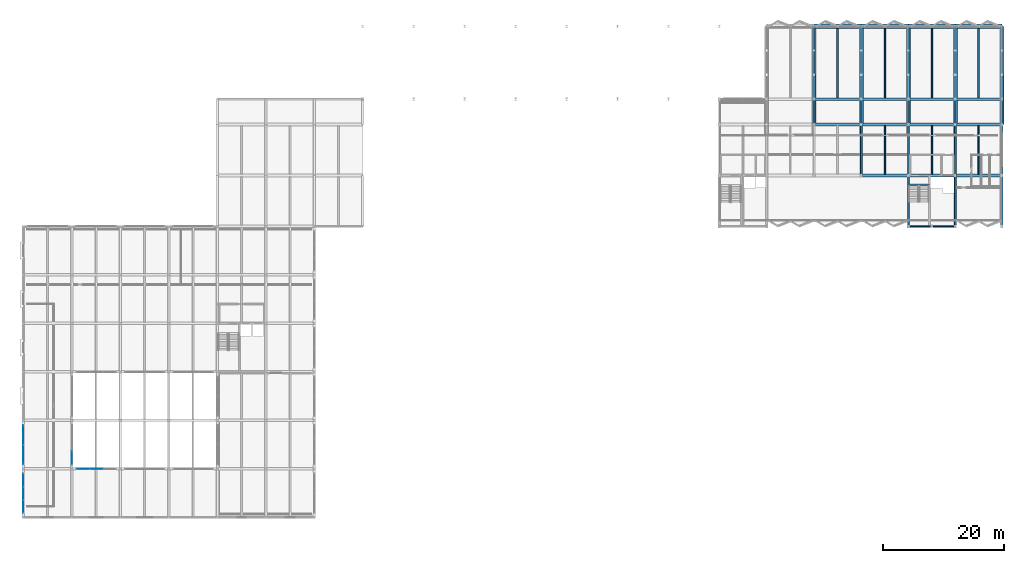
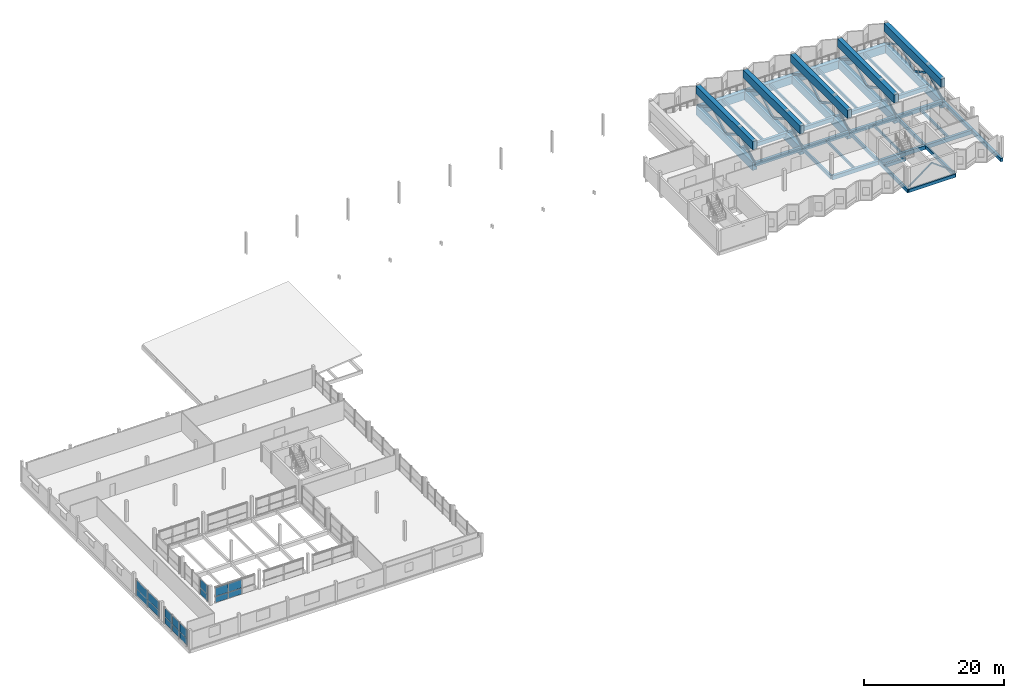
# One storey, part 19 of 34: 41 beams, 22 members, 16 plates, 4 elements without a shape of their own.
"""IFC4 building model written with IfcOpenShell, lengths in metres."""

import ifcopenshell
import ifcopenshell.guid

model = None  # the IFC model being written
_history = None  # IfcOwnerHistory: only IFC2X3 demands one
_inside = {}  # id of a spatial element -> (the spatial element, [elements in it])
_under = {}  # id of a project, library or spatial element -> (it, [spatial elements below it])
_declared = {}  # id of a project -> (the project, [libraries it declares])
_typed = {}  # id of a type object -> (the type object, [elements of that type])
_made_of = {}  # id of a material, layer set ... -> (it, [elements and type objects made of it])


def new_model(schema):
    """Start an empty IFC model of exactly this schema.

    Asked for "IFC4X3", IfcOpenShell would pick the latest addendum, in which some entities
    have other attributes; the version numbers below select the first issue.
    IFC2X3 requires an IfcOwnerHistory on every rooted entity: one is made here for all.
    """
    global model, _history
    if schema == "IFC4X3":
        model = ifcopenshell.file(schema_version=(4, 3, 0, 0))
    else:
        model = ifcopenshell.file(schema=schema)
    _inside.clear()
    _under.clear()
    _declared.clear()
    _typed.clear()
    _made_of.clear()
    _history = None
    if model.schema == "IFC2X3":
        org = make("IfcOrganization", Name="unknown")
        user = make(
            "IfcPersonAndOrganization",
            ThePerson=make("IfcPerson", FamilyName="unknown"),
            TheOrganization=org,
        )
        app = make(
            "IfcApplication",
            ApplicationDeveloper=org,
            Version="unknown",
            ApplicationFullName="unknown",
            ApplicationIdentifier="unknown",
        )
        _history = make(
            "IfcOwnerHistory",
            OwningUser=user,
            OwningApplication=app,
            ChangeAction="ADDED",
            CreationDate=0,
        )
    return model


def make(cls, **values):
    """One entity of the class cls with the attributes given. An attribute that is None is left unset."""
    return model.create_entity(
        cls, **{name: value for name, value in values.items() if value is not None}
    )


def rooted(cls, **values):
    """An entity with a GlobalId (a new one), such as an element, a storey or a relation."""
    return make(cls, GlobalId=ifcopenshell.guid.new(), OwnerHistory=_history, **values)


def si_unit(unit_type, name, prefix=None):
    """IfcSIUnit, for example si_unit("LENGTHUNIT", "METRE", prefix="MILLI")."""
    return make("IfcSIUnit", UnitType=unit_type, Prefix=prefix, Name=name)


def assignment(units):
    """IfcUnitAssignment: the units of a project."""
    return None if units is None else make("IfcUnitAssignment", Units=units)


def point(xyz):
    """IfcCartesianPoint."""
    return None if xyz is None else make("IfcCartesianPoint", Coordinates=xyz)


def direction(xyz):
    """IfcDirection."""
    return None if xyz is None else make("IfcDirection", DirectionRatios=xyz)


def frame(location, z_axis=None, x_axis=None):
    """IfcAxis2Placement3D, a coordinate frame: its origin and axes. An axis left out is left unset."""
    return make(
        "IfcAxis2Placement3D",
        Location=point(location),
        Axis=direction(z_axis),
        RefDirection=direction(x_axis),
    )


def frame_2d(location, x_axis=None):
    """IfcAxis2Placement2D, a coordinate frame in the plane: its origin and x axis."""
    return make(
        "IfcAxis2Placement2D", Location=point(location), RefDirection=direction(x_axis)
    )


def origin():
    """The frame at (0, 0, 0) with its axes left unset."""
    return frame((0.0, 0.0, 0.0))


def origin_2d():
    """The frame at (0, 0) in the plane with its x axis left unset."""
    return frame_2d((0.0, 0.0))


def place(relative_to, where):
    """IfcLocalPlacement: puts the frame where relative to a parent placement (None: the world)."""
    return make(
        "IfcLocalPlacement", PlacementRelTo=relative_to, RelativePlacement=where
    )


def context(
    kind, dimensions, precision=None, world=None, true_north=None, identifier=None
):
    """IfcGeometricRepresentationContext, for example the 3D "Model" context."""
    return make(
        "IfcGeometricRepresentationContext",
        ContextIdentifier=identifier,
        ContextType=kind,
        CoordinateSpaceDimension=dimensions,
        Precision=precision,
        WorldCoordinateSystem=world,
        TrueNorth=true_north,
    )


def subcontext(parent, identifier, kind, view, scale=None):
    """IfcGeometricRepresentationSubContext, for example "Body" below "Model"."""
    return make(
        "IfcGeometricRepresentationSubContext",
        ContextIdentifier=identifier,
        ContextType=kind,
        ParentContext=parent,
        TargetScale=scale,
        TargetView=view,
    )


def project(units=None, contexts=None):
    """IfcProject with its units and contexts."""
    return rooted(
        "IfcProject",
        Name="project",
        RepresentationContexts=contexts,
        UnitsInContext=assignment(units),
    )


def spatial(cls, under=None, at=None, **own):
    """A site, building, storey or space (cls), placed at a placement, below another one or the project."""
    s = rooted(cls, ObjectPlacement=at, **own)
    if under is not None:
        _under.setdefault(under.id(), (under, []))[1].append(s)
    return s


def profile(cls, at=None, kind="AREA", **sizes):
    """A parametric profile (cls). Its sizes go by their IFC names, for example OverallWidth=200.0."""
    return make(cls, ProfileType=kind, Position=at, **sizes)


def rectangle(**sizes):
    """IfcRectangleProfileDef."""
    return profile("IfcRectangleProfileDef", **sizes)


def hollow_rectangle(**sizes):
    """IfcRectangleHollowProfileDef."""
    return profile("IfcRectangleHollowProfileDef", **sizes)


def hollow_circle(**sizes):
    """IfcCircleHollowProfileDef."""
    return profile("IfcCircleHollowProfileDef", **sizes)


def extrude(swept, where, along, depth):
    """IfcExtrudedAreaSolid: the profile swept, set in the frame where, extruded along a direction by depth."""
    return make(
        "IfcExtrudedAreaSolid",
        SweptArea=swept,
        Position=where,
        ExtrudedDirection=direction(along),
        Depth=depth,
    )


def shape(context_of_items, identifier, shape_type, items):
    """IfcShapeRepresentation: the items that make up one representation, for example the "Body"."""
    return make(
        "IfcShapeRepresentation",
        ContextOfItems=context_of_items,
        RepresentationIdentifier=identifier,
        RepresentationType=shape_type,
        Items=items,
    )


def material(Name=None, Category=None):
    """IfcMaterial."""
    return make("IfcMaterial", Name=Name, Category=Category)


def layer(
    of_material, thickness, ventilated=None, Name=None, Category=None, Priority=None
):
    """IfcMaterialLayer: one layer of a wall or slab, of a material (None: an air gap)."""
    return make(
        "IfcMaterialLayer",
        Material=of_material,
        LayerThickness=thickness,
        IsVentilated=ventilated,
        Name=Name,
        Category=Category,
        Priority=Priority,
    )


def layer_set(layers, Name=None):
    """IfcMaterialLayerSet."""
    return make("IfcMaterialLayerSet", MaterialLayers=layers, LayerSetName=Name)


def material_profile(
    of_material, cross_section, Name=None, Category=None, Priority=None
):
    """IfcMaterialProfile: a cross section and its material."""
    return make(
        "IfcMaterialProfile",
        Name=Name,
        Material=of_material,
        Profile=cross_section,
        Priority=Priority,
        Category=Category,
    )


def profile_set(profiles, Name=None, composite=None):
    """IfcMaterialProfileSet."""
    return make(
        "IfcMaterialProfileSet",
        Name=Name,
        MaterialProfiles=profiles,
        CompositeProfile=composite,
    )


def made_of(thing, what):
    """Note that an element or type object is made of a material, layer set ...; save() writes the relation."""
    if what is not None:
        _made_of.setdefault(what.id(), (what, []))[1].append(thing)
    return thing


def type_object(cls, material=None, **own):
    """A type object (cls), such as IfcWallType, which elements share."""
    return made_of(rooted(cls, **own), material)


def element(
    cls,
    number,
    at=None,
    inside=None,
    cuts=None,
    type_object=None,
    material=None,
    context=None,
    identifier="Body",
    shape_type=None,
    held_by="IfcProductDefinitionShape",
    body=None,
    shapes=None,
    **own,
):
    """One element of the class cls, such as IfcWall. Its Tag is "e" and its number.

    at: its placement. inside: the storey or other place that contains it. cuts: it is an
    opening in that element (IfcRelVoidsElement). A single representation is given by context,
    identifier, shape_type and body (its items); several are given by shapes. held_by: the class
    of the entity that holds the representations. save() writes the other relations.
    """
    e = rooted(cls, Tag="e%d" % number, ObjectPlacement=at, **own)
    if body is not None:
        shapes = [shape(context, identifier, shape_type, body)]
    if shapes is not None:
        e.Representation = make(held_by, Representations=shapes)
    if inside is not None:
        _inside.setdefault(inside.id(), (inside, []))[1].append(e)
    if cuts is not None:
        rooted(
            "IfcRelVoidsElement", RelatingBuildingElement=cuts, RelatedOpeningElement=e
        )
    if type_object is not None:
        _typed.setdefault(type_object.id(), (type_object, []))[1].append(e)
    return made_of(e, material)


def aggregate(whole, parts):
    """IfcRelAggregates: a whole, such as a stair, and the parts it consists of."""
    return rooted("IfcRelAggregates", RelatingObject=whole, RelatedObjects=parts)


def save(model, path):
    """Write the relations noted so far, then the file.

    IfcRelAggregates (storeys below a building ...), IfcRelContainedInSpatialStructure (elements
    in a storey), IfcRelDefinesByType, IfcRelAssociatesMaterial and IfcRelDeclares: one each for
    every whole, place, type object, material and project.
    """
    for whole, parts in _under.values():
        aggregate(whole, parts)
    for where, things in _inside.values():
        rooted(
            "IfcRelContainedInSpatialStructure",
            RelatedElements=things,
            RelatingStructure=where,
        )
    for kind, things in _typed.values():
        rooted("IfcRelDefinesByType", RelatedObjects=things, RelatingType=kind)
    for what, things in _made_of.values():
        rooted("IfcRelAssociatesMaterial", RelatedObjects=things, RelatingMaterial=what)
    for by, libraries in _declared.values():
        rooted("IfcRelDeclares", RelatingContext=by, RelatedDefinitions=libraries)
    model.write(path)


model = new_model("IFC4")

# Units and contexts
model_context = context("Model", 3, precision=1e-05, world=origin(), true_north=direction((0.0, 1.0)))
body_context = subcontext(model_context, "Body", "Model", "MODEL_VIEW")
ifc_project = project(units=[si_unit("LENGTHUNIT", "METRE"), si_unit("AREAUNIT", "SQUARE_METRE"), si_unit("VOLUMEUNIT", "CUBIC_METRE"), si_unit("PLANEANGLEUNIT", "RADIAN"), si_unit("MASSUNIT", "GRAM", prefix="KILO")], contexts=[model_context])

# Site, building, storey
site_placement = place(None, origin())
site = spatial("IfcSite", under=ifc_project, at=site_placement, CompositionType="ELEMENT")
building_placement = place(site_placement, origin())
building = spatial("IfcBuilding", under=site, at=building_placement, Name="Vharandega Faculty of Natural Sciences", CompositionType="ELEMENT")
storey_placement = place(building_placement, frame((0.0, 0.0, 21.60009765625)))
storey = spatial("IfcBuildingStorey", under=building, at=storey_placement, Name="L05", CompositionType="ELEMENT", Elevation=21.60009765625)

# Beams
ifc_material_1 = material(Name="Glulam GL32h", Category="wood")
ifc_material_profile_1 = material_profile(ifc_material_1, rectangle(XDim=0.699951171875, YDim=1.39990234375, at=origin_2d()), Name="GL32h 700x1400")
ifc_profile_set_1 = profile_set([ifc_material_profile_1], Name="Glulam GL32h")
beam_type_1 = type_object("IfcBeamType", Name="Cantilever Truss Bottom Chord 700x1400", PredefinedType="BEAM", material=ifc_profile_set_1)
for number, where, z_axis, x_axis, name in (
    (1, (130.39990234375, 80.800048828125, -0.940185546875), (0.0, 1.0, 0.0), (-1.0, 0.0, 0.0), "Transfer Cantilever Bottom Chord Grid 17"),
    (2, (138.199951171875, 80.800048828125, -0.940185546875), (0.0, 1.0, 0.0), (-1.0, 0.0, 0.0), "Transfer Cantilever Bottom Chord Grid 18"),
    (3, (146.0, 80.800048828125, -0.940185546875), (0.0, 1.0, 0.0), (-1.0, 0.0, 0.0), "Transfer Cantilever Bottom Chord Grid 19"),
    (4, (153.699951171875, 80.800048828125, -0.940185546875), (0.0, 1.0, 0.0), (-1.0, 0.0, 0.0), "Transfer Cantilever Bottom Chord Grid 20"),
    (5, (161.39990234375, 80.800048828125, -0.940185546875), (0.0, 1.0, 0.0), (-1.0, 0.0, 0.0), "Transfer Cantilever Bottom Chord Grid 21"),
):
    element("IfcBeam", number, at=place(storey_placement, frame(where, z_axis=z_axis, x_axis=x_axis)), inside=storey, type_object=beam_type_1, Name=name, PredefinedType="BEAM", context=body_context, shape_type="SweptSolid", body=[
        extrude(rectangle(XDim=0.699951171875, YDim=1.39990234375, at=origin_2d()), origin(), (0.0, 0.0, 1.0), 16.199951171875),
    ])

# Members
ifc_material_2 = material(Name="Steel S355", Category="steel")
ifc_material_profile_2 = material_profile(ifc_material_2, hollow_circle(Radius=0.161865234375, WallThickness=0.01611328125, at=origin_2d()), Name="CHS 323.9x16")
ifc_profile_set_2 = profile_set([ifc_material_profile_2], Name="Steel S355")
member_type_1 = type_object("IfcMemberType", Name="Cantilever Truss Diagonal CHS 324", PredefinedType="BRACE", material=ifc_profile_set_2)
for number, where, z_axis, x_axis, name in (
    (6, (130.39990234375, 80.800048828125, -0.239990234375), (0.0, 0.884095243613, 0.467306751739), (-1.0, 0.0, 0.0), "Cantilever Truss Diagonal 17-1"),
    (7, (138.199951171875, 80.800048828125, -0.239990234375), (0.0, 0.884095243613, 0.467306751739), (-1.0, 0.0, 0.0), "Cantilever Truss Diagonal 18-1"),
    (8, (146.0, 80.800048828125, -0.239990234375), (0.0, 0.884095243613, 0.467306751739), (-1.0, 0.0, 0.0), "Cantilever Truss Diagonal 19-1"),
    (9, (153.699951171875, 80.800048828125, -0.239990234375), (0.0, 0.884095243613, 0.467306751739), (-1.0, 0.0, 0.0), "Cantilever Truss Diagonal 20-1"),
    (10, (161.39990234375, 80.800048828125, -0.239990234375), (0.0, 0.884095243613, 0.467306751739), (-1.0, 0.0, 0.0), "Cantilever Truss Diagonal 21-1"),
):
    element("IfcMember", number, at=place(storey_placement, frame(where, z_axis=z_axis, x_axis=x_axis)), inside=storey, type_object=member_type_1, Name=name, PredefinedType="BRACE", context=body_context, shape_type="SweptSolid", body=[
        extrude(hollow_circle(Radius=0.161865234375, WallThickness=0.01611328125, at=origin_2d()), origin(), (0.0, 0.0, 1.0), 4.75048828125),
    ])

# Beams
ifc_material_3 = material(Name="Glulam GL32h", Category="wood")
ifc_material_profile_3 = material_profile(ifc_material_3, rectangle(XDim=0.699951171875, YDim=1.39990234375, at=origin_2d()), Name="GL32h 700x1400")
ifc_profile_set_3 = profile_set([ifc_material_profile_3], Name="Glulam GL32h")
beam_type_2 = type_object("IfcBeamType", Name="Cantilever Truss Top Chord 700x1400", PredefinedType="BEAM", material=ifc_profile_set_3)
for number, where, z_axis, x_axis, name in (
    (11, (130.39990234375, 80.800048828125, 2.679931640625), (0.0, 1.0, 0.0), (-1.0, 0.0, 0.0), "Transfer Cantilever Top Chord Grid 17"),
    (12, (138.199951171875, 80.800048828125, 2.679931640625), (0.0, 1.0, 0.0), (-1.0, 0.0, 0.0), "Transfer Cantilever Top Chord Grid 18"),
    (13, (146.0, 80.800048828125, 2.679931640625), (0.0, 1.0, 0.0), (-1.0, 0.0, 0.0), "Transfer Cantilever Top Chord Grid 19"),
    (14, (153.699951171875, 80.800048828125, 2.679931640625), (0.0, 1.0, 0.0), (-1.0, 0.0, 0.0), "Transfer Cantilever Top Chord Grid 20"),
    (15, (161.39990234375, 80.800048828125, 2.679931640625), (0.0, 1.0, 0.0), (-1.0, 0.0, 0.0), "Transfer Cantilever Top Chord Grid 21"),
):
    element("IfcBeam", number, at=place(storey_placement, frame(where, z_axis=z_axis, x_axis=x_axis)), inside=storey, type_object=beam_type_2, Name=name, PredefinedType="BEAM", context=body_context, shape_type="SweptSolid", body=[
        extrude(rectangle(XDim=0.699951171875, YDim=1.39990234375, at=origin_2d()), origin(), (0.0, 0.0, 1.0), 16.199951171875),
    ])

# Members
ifc_material_4 = material(Name="Steel S355", Category="steel")
ifc_material_profile_4 = material_profile(ifc_material_4, hollow_rectangle(XDim=0.25, YDim=0.25, WallThickness=0.012451171875, at=origin_2d()), Name="SHS 250x250x12.5")
ifc_profile_set_4 = profile_set([ifc_material_profile_4], Name="Steel S355")
member_type_2 = type_object("IfcMemberType", Name="Cantilever Truss Web SHS 250", PredefinedType="BRACE", material=ifc_profile_set_4)
for number, where, z_axis, x_axis, name in (
    (16, (130.39990234375, 89.0, -0.239990234375), (0.0, 0.874366132347, 0.485266799404), (-1.0, 0.0, 0.0), "Cantilever Truss Diagonal 17-3"),
    (17, (130.39990234375, 93.0, 1.97998046875), (0.0, 0.874366132347, -0.485266799404), (-1.0, 0.0, 0.0), "Cantilever Truss Diagonal 17-4"),
    (18, (138.199951171875, 89.0, -0.239990234375), (0.0, 0.874366132347, 0.485266799404), (-1.0, 0.0, 0.0), "Cantilever Truss Diagonal 18-3"),
    (19, (138.199951171875, 93.0, 1.97998046875), (0.0, 0.874366132347, -0.485266799404), (-1.0, 0.0, 0.0), "Cantilever Truss Diagonal 18-4"),
    (20, (146.0, 89.0, -0.239990234375), (0.0, 0.874366132347, 0.485266799404), (-1.0, 0.0, 0.0), "Cantilever Truss Diagonal 19-3"),
    (21, (146.0, 93.0, 1.97998046875), (0.0, 0.874366132347, -0.485266799404), (-1.0, 0.0, 0.0), "Cantilever Truss Diagonal 19-4"),
    (22, (153.699951171875, 89.0, -0.239990234375), (0.0, 0.874366132347, 0.485266799404), (-1.0, 0.0, 0.0), "Cantilever Truss Diagonal 20-3"),
    (23, (153.699951171875, 93.0, 1.97998046875), (0.0, 0.874366132347, -0.485266799404), (-1.0, 0.0, 0.0), "Cantilever Truss Diagonal 20-4"),
    (24, (161.39990234375, 89.0, -0.239990234375), (0.0, 0.874366132347, 0.485266799404), (-1.0, 0.0, 0.0), "Cantilever Truss Diagonal 21-3"),
    (25, (161.39990234375, 93.0, 1.97998046875), (0.0, 0.874366132347, -0.485266799404), (-1.0, 0.0, 0.0), "Cantilever Truss Diagonal 21-4"),
):
    element("IfcMember", number, at=place(storey_placement, frame(where, z_axis=z_axis, x_axis=x_axis)), inside=storey, type_object=member_type_2, Name=name, PredefinedType="BRACE", context=body_context, shape_type="SweptSolid", body=[
        extrude(hollow_rectangle(XDim=0.25, YDim=0.25, WallThickness=0.012451171875, at=origin_2d()), origin(), (0.0, 0.0, 1.0), 4.57470703125),
    ])
ifc_material_5 = material(Name="Steel S355", Category="steel")
ifc_material_profile_5 = material_profile(ifc_material_5, hollow_rectangle(XDim=0.300048828125, YDim=0.300048828125, WallThickness=0.01611328125, at=origin_2d()), Name="SHS 300x300x16")
ifc_profile_set_5 = profile_set([ifc_material_profile_5], Name="Steel S355")
member_type_3 = type_object("IfcMemberType", Name="Cantilever Truss Web SHS 300", PredefinedType="BRACE", material=ifc_profile_set_5)
for number, where, z_axis, x_axis, name in (
    (26, (130.39990234375, 85.0, 1.97998046875), (0.0, 0.874366132347, -0.485266799404), (-1.0, 0.0, 0.0), "Cantilever Truss Diagonal 17-2"),
    (27, (138.199951171875, 85.0, 1.97998046875), (0.0, 0.874366132347, -0.485266799404), (-1.0, 0.0, 0.0), "Cantilever Truss Diagonal 18-2"),
    (28, (146.0, 85.0, 1.97998046875), (0.0, 0.874366132347, -0.485266799404), (-1.0, 0.0, 0.0), "Cantilever Truss Diagonal 19-2"),
    (29, (153.699951171875, 85.0, 1.97998046875), (0.0, 0.874366132347, -0.485266799404), (-1.0, 0.0, 0.0), "Cantilever Truss Diagonal 20-2"),
    (30, (161.39990234375, 85.0, 1.97998046875), (0.0, 0.874366132347, -0.485266799404), (-1.0, 0.0, 0.0), "Cantilever Truss Diagonal 21-2"),
):
    element("IfcMember", number, at=place(storey_placement, frame(where, z_axis=z_axis, x_axis=x_axis)), inside=storey, type_object=member_type_3, Name=name, PredefinedType="BRACE", context=body_context, shape_type="SweptSolid", body=[
        extrude(hollow_rectangle(XDim=0.300048828125, YDim=0.300048828125, WallThickness=0.01611328125, at=origin_2d()), origin(), (0.0, 0.0, 1.0), 4.57470703125),
    ])

# Beams
ifc_material_6 = material(Name="Glulam GL28h", Category="wood")
ifc_material_profile_6 = material_profile(ifc_material_6, rectangle(XDim=0.300048828125, YDim=0.60009765625, at=origin_2d()), Name="GL28h 300x600")
ifc_profile_set_6 = profile_set([ifc_material_profile_6], Name="Glulam GL28h")
beam_type_3 = type_object("IfcBeamType", Name="Glulam Floor Beam 300x600", PredefinedType="BEAM", material=ifc_profile_set_6)
beam_1_placement = place(storey_placement, frame((138.199951171875, 72.39990234375, -0.5400390625), z_axis=(0.0, 1.0, 0.0), x_axis=(-1.0, 0.0, 0.0)))
element("IfcBeam", 31, at=beam_1_placement, inside=storey, type_object=beam_type_3, Name="Beam L05 18/K-L", PredefinedType="BEAM", context=body_context, shape_type="SweptSolid", body=[
    extrude(rectangle(XDim=0.300048828125, YDim=0.60009765625, at=origin_2d()), origin(), (0.0, 0.0, 1.0), 8.400146484375),
])
beam_2_placement = place(storey_placement, frame((146.0, 64.0, -0.5400390625), z_axis=(0.0, 1.0, 0.0), x_axis=(-1.0, 0.0, 0.0)))
element("IfcBeam", 32, at=beam_2_placement, inside=storey, type_object=beam_type_3, Name="Beam L05 19/J-K", PredefinedType="BEAM", context=body_context, shape_type="SweptSolid", body=[
    extrude(rectangle(XDim=0.300048828125, YDim=0.60009765625, at=origin_2d()), origin(), (0.0, 0.0, 1.0), 8.39990234375),
])
beam_3_placement = place(storey_placement, frame((146.0, 72.39990234375, -0.5400390625), z_axis=(0.0, 1.0, 0.0), x_axis=(-1.0, 0.0, 0.0)))
element("IfcBeam", 33, at=beam_3_placement, inside=storey, type_object=beam_type_3, Name="Beam L05 19/K-L", PredefinedType="BEAM", context=body_context, shape_type="SweptSolid", body=[
    extrude(rectangle(XDim=0.300048828125, YDim=0.60009765625, at=origin_2d()), origin(), (0.0, 0.0, 1.0), 8.400146484375),
])
beam_4_placement = place(storey_placement, frame((153.699951171875, 64.0, -0.5400390625), z_axis=(0.0, 1.0, 0.0), x_axis=(-1.0, 0.0, 0.0)))
element("IfcBeam", 34, at=beam_4_placement, inside=storey, type_object=beam_type_3, Name="Beam L05 20/J-K", PredefinedType="BEAM", context=body_context, shape_type="SweptSolid", body=[
    extrude(rectangle(XDim=0.300048828125, YDim=0.60009765625, at=origin_2d()), origin(), (0.0, 0.0, 1.0), 8.39990234375),
])
beam_5_placement = place(storey_placement, frame((153.699951171875, 72.39990234375, -0.5400390625), z_axis=(0.0, 1.0, 0.0), x_axis=(-1.0, 0.0, 0.0)))
element("IfcBeam", 35, at=beam_5_placement, inside=storey, type_object=beam_type_3, Name="Beam L05 20/K-L", PredefinedType="BEAM", context=body_context, shape_type="SweptSolid", body=[
    extrude(rectangle(XDim=0.300048828125, YDim=0.60009765625, at=origin_2d()), origin(), (0.0, 0.0, 1.0), 8.400146484375),
])
ifc_material_7 = material(Name="Glulam GL32h", Category="wood")
ifc_material_profile_7 = material_profile(ifc_material_7, rectangle(XDim=0.43994140625, YDim=0.679931640625, at=origin_2d()), Name="GL32h 440x680")
ifc_profile_set_7 = profile_set([ifc_material_profile_7], Name="Glulam GL32h")
beam_type_4 = type_object("IfcBeamType", Name="Glulam Girder 440x680", PredefinedType="BEAM", material=ifc_profile_set_7)
beam_6_placement = place(storey_placement, frame((138.199951171875, 72.39990234375, -0.580078125), z_axis=(1.0, 0.0, 0.0), x_axis=(0.0, 1.0, 0.0)))
element("IfcBeam", 36, at=beam_6_placement, inside=storey, type_object=beam_type_4, Name="Beam L05 K/18-19", PredefinedType="BEAM", context=body_context, shape_type="SweptSolid", body=[
    extrude(rectangle(XDim=0.43994140625, YDim=0.679931640625, at=origin_2d()), origin(), (0.0, 0.0, 1.0), 7.800048828125),
])
for number, where, z_axis, x_axis, name in (
    (37, (146.0, 72.39990234375, -0.580078125), (1.0, 0.0, 0.0), (0.0, 1.0, 0.0), "Beam L05 K/19-20"),
    (38, (153.699951171875, 72.39990234375, -0.580078125), (1.0, 0.0, 0.0), (0.0, 1.0, 0.0), "Beam L05 K/20-21"),
):
    element("IfcBeam", number, at=place(storey_placement, frame(where, z_axis=z_axis, x_axis=x_axis)), inside=storey, type_object=beam_type_4, Name=name, PredefinedType="BEAM", context=body_context, shape_type="SweptSolid", body=[
        extrude(rectangle(XDim=0.43994140625, YDim=0.679931640625, at=origin_2d()), origin(), (0.0, 0.0, 1.0), 7.699951171875),
    ])
for number, where, z_axis, x_axis, name in (
    (39, (130.39990234375, 80.800048828125, -0.580078125), (1.0, 0.0, 0.0), (0.0, 1.0, 0.0), "Beam L05 L/17-18"),
    (40, (138.199951171875, 80.800048828125, -0.580078125), (1.0, 0.0, 0.0), (0.0, 1.0, 0.0), "Beam L05 L/18-19"),
):
    element("IfcBeam", number, at=place(storey_placement, frame(where, z_axis=z_axis, x_axis=x_axis)), inside=storey, type_object=beam_type_4, Name=name, PredefinedType="BEAM", context=body_context, shape_type="SweptSolid", body=[
        extrude(rectangle(XDim=0.43994140625, YDim=0.679931640625, at=origin_2d()), origin(), (0.0, 0.0, 1.0), 7.800048828125),
    ])
for number, where, z_axis, x_axis, name in (
    (41, (146.0, 80.800048828125, -0.580078125), (1.0, 0.0, 0.0), (0.0, 1.0, 0.0), "Beam L05 L/19-20"),
    (42, (153.699951171875, 80.800048828125, -0.580078125), (1.0, 0.0, 0.0), (0.0, 1.0, 0.0), "Beam L05 L/20-21"),
):
    element("IfcBeam", number, at=place(storey_placement, frame(where, z_axis=z_axis, x_axis=x_axis)), inside=storey, type_object=beam_type_4, Name=name, PredefinedType="BEAM", context=body_context, shape_type="SweptSolid", body=[
        extrude(rectangle(XDim=0.43994140625, YDim=0.679931640625, at=origin_2d()), origin(), (0.0, 0.0, 1.0), 7.699951171875),
    ])
for number, where, z_axis, x_axis, name in (
    (43, (130.39990234375, 85.0, -0.580078125), (1.0, 0.0, 0.0), (0.0, 1.0, 0.0), "Beam L05 M/17-18"),
    (44, (138.199951171875, 85.0, -0.580078125), (1.0, 0.0, 0.0), (0.0, 1.0, 0.0), "Beam L05 M/18-19"),
):
    element("IfcBeam", number, at=place(storey_placement, frame(where, z_axis=z_axis, x_axis=x_axis)), inside=storey, type_object=beam_type_4, Name=name, PredefinedType="BEAM", context=body_context, shape_type="SweptSolid", body=[
        extrude(rectangle(XDim=0.43994140625, YDim=0.679931640625, at=origin_2d()), origin(), (0.0, 0.0, 1.0), 7.800048828125),
    ])
for number, where, z_axis, x_axis, name in (
    (45, (146.0, 85.0, -0.580078125), (1.0, 0.0, 0.0), (0.0, 1.0, 0.0), "Beam L05 M/19-20"),
    (46, (153.699951171875, 85.0, -0.580078125), (1.0, 0.0, 0.0), (0.0, 1.0, 0.0), "Beam L05 M/20-21"),
):
    element("IfcBeam", number, at=place(storey_placement, frame(where, z_axis=z_axis, x_axis=x_axis)), inside=storey, type_object=beam_type_4, Name=name, PredefinedType="BEAM", context=body_context, shape_type="SweptSolid", body=[
        extrude(rectangle(XDim=0.43994140625, YDim=0.679931640625, at=origin_2d()), origin(), (0.0, 0.0, 1.0), 7.699951171875),
    ])
ifc_material_8 = material(Name="Glulam GL28h", Category="wood")
ifc_material_profile_8 = material_profile(ifc_material_8, rectangle(XDim=0.219970703125, YDim=0.43994140625, at=origin_2d()), Name="GL28h 220x440")
ifc_profile_set_8 = profile_set([ifc_material_profile_8], Name="Glulam GL28h")
beam_type_5 = type_object("IfcBeamType", Name="Glulam Secondary Joist 220x440", PredefinedType="JOIST", material=ifc_profile_set_8)
for number, where, z_axis, x_axis, name in (
    (47, (142.10009765625, 72.6201171875, -0.460205078125), (0.0, 1.0, 0.0), (-1.0, 0.0, 0.0), "Secondary Joist L05 18-19/K-L"),
    (48, (149.85009765625, 72.6201171875, -0.460205078125), (0.0, 1.0, 0.0), (-1.0, 0.0, 0.0), "Secondary Joist L05 19-20/K-L"),
    (49, (157.550048828125, 72.6201171875, -0.460205078125), (0.0, 1.0, 0.0), (-1.0, 0.0, 0.0), "Secondary Joist L05 20-21/K-L"),
):
    element("IfcBeam", number, at=place(storey_placement, frame(where, z_axis=z_axis, x_axis=x_axis)), inside=storey, type_object=beam_type_5, Name=name, PredefinedType="JOIST", context=body_context, shape_type="SweptSolid", body=[
        extrude(rectangle(XDim=0.219970703125, YDim=0.43994140625, at=origin_2d()), origin(), (0.0, 0.0, 1.0), 7.9599609375),
    ])
ifc_material_9 = material(Name="Glulam GL28h", Category="wood")
ifc_material_profile_9 = material_profile(ifc_material_9, rectangle(XDim=0.239990234375, YDim=0.47998046875, at=origin_2d()), Name="GL28h 240x480")
ifc_profile_set_9 = profile_set([ifc_material_profile_9], Name="Glulam GL28h")
beam_type_6 = type_object("IfcBeamType", Name="Glulam Secondary Joist 240x480", PredefinedType="JOIST", material=ifc_profile_set_9)
for number, where, z_axis, x_axis, name in (
    (50, (134.300048828125, 85.219970703125, -0.47998046875), (0.0, 1.0, 0.0), (-1.0, 0.0, 0.0), "Secondary Joist L05 17-18/M-N"),
    (51, (142.10009765625, 85.219970703125, -0.47998046875), (0.0, 1.0, 0.0), (-1.0, 0.0, 0.0), "Secondary Joist L05 18-19/M-N"),
    (52, (149.85009765625, 85.219970703125, -0.47998046875), (0.0, 1.0, 0.0), (-1.0, 0.0, 0.0), "Secondary Joist L05 19-20/M-N"),
    (53, (157.550048828125, 85.219970703125, -0.47998046875), (0.0, 1.0, 0.0), (-1.0, 0.0, 0.0), "Secondary Joist L05 20-21/M-N"),
):
    element("IfcBeam", number, at=place(storey_placement, frame(where, z_axis=z_axis, x_axis=x_axis)), inside=storey, type_object=beam_type_6, Name=name, PredefinedType="JOIST", context=body_context, shape_type="SweptSolid", body=[
        extrude(rectangle(XDim=0.239990234375, YDim=0.47998046875, at=origin_2d()), origin(), (0.0, 0.0, 1.0), 11.429931640625),
    ])
ifc_material_10 = material(Name="Glulam GL28h", Category="wood")
ifc_material_profile_10 = material_profile(ifc_material_10, rectangle(XDim=0.239990234375, YDim=0.56005859375, at=origin_2d()), Name="GL28h 240x560")
ifc_profile_set_10 = profile_set([ifc_material_profile_10], Name="Glulam GL28h")
beam_type_7 = type_object("IfcBeamType", Name="Glulam Spandrel Edge Beam 240x560", PredefinedType="SPANDREL", material=ifc_profile_set_10)
beam_7_placement = place(storey_placement, frame((146.0, 64.0, -0.52001953125), z_axis=(1.0, 0.0, 0.0), x_axis=(0.0, 1.0, 0.0)))
element("IfcBeam", 54, at=beam_7_placement, inside=storey, type_object=beam_type_7, Name="Beam L05 J/19-20", PredefinedType="SPANDREL", context=body_context, shape_type="SweptSolid", body=[
    extrude(rectangle(XDim=0.239990234375, YDim=0.56005859375, at=origin_2d()), origin(), (0.0, 0.0, 1.0), 7.699951171875),
])
ifc_material_11 = material(Name="Glulam GL32h", Category="wood")
ifc_material_profile_11 = material_profile(ifc_material_11, rectangle(XDim=0.39990234375, YDim=0.60009765625, at=origin_2d()), Name="GL32h 400x600")
ifc_profile_set_11 = profile_set([ifc_material_profile_11], Name="Glulam GL32h")
beam_type_8 = type_object("IfcBeamType", Name="Glulam Spine Girder 400x600", PredefinedType="BEAM", material=ifc_profile_set_11)
beam_8_placement = place(storey_placement, frame((161.39990234375, 64.0, -0.5400390625), z_axis=(0.0, 1.0, 0.0), x_axis=(-1.0, 0.0, 0.0)))
element("IfcBeam", 55, at=beam_8_placement, inside=storey, type_object=beam_type_8, Name="Beam L05 21/J-K", PredefinedType="BEAM", context=body_context, shape_type="SweptSolid", body=[
    extrude(rectangle(XDim=0.39990234375, YDim=0.60009765625, at=origin_2d()), origin(), (0.0, 0.0, 1.0), 8.39990234375),
])
beam_9_placement = place(storey_placement, frame((161.39990234375, 72.39990234375, -0.5400390625), z_axis=(0.0, 1.0, 0.0), x_axis=(-1.0, 0.0, 0.0)))
element("IfcBeam", 56, at=beam_9_placement, inside=storey, type_object=beam_type_8, Name="Beam L05 21/K-L", PredefinedType="BEAM", context=body_context, shape_type="SweptSolid", body=[
    extrude(rectangle(XDim=0.39990234375, YDim=0.60009765625, at=origin_2d()), origin(), (0.0, 0.0, 1.0), 8.400146484375),
])
ifc_material_12 = material(Name="Concrete C40/50", Category="concrete")
ifc_material_profile_12 = material_profile(ifc_material_12, rectangle(XDim=0.35009765625, YDim=0.550048828125, at=origin_2d()), Name="RC 350x550")
ifc_profile_set_12 = profile_set([ifc_material_profile_12], Name="Concrete C40/50")
beam_type_9 = type_object("IfcBeamType", Name="Stair Header Trimmer Beam 350x550", PredefinedType="BEAM", material=ifc_profile_set_12)
beam_10_placement = place(storey_placement, frame((146.0, 70.800048828125, -0.275146484375), z_axis=(1.0, 0.0, 0.0), x_axis=(0.0, 1.0, 0.0)))
element("IfcBeam", 57, at=beam_10_placement, inside=storey, type_object=beam_type_9, Name="Stair Landing Trimmer Beam C2 L05", PredefinedType="BEAM", context=body_context, shape_type="SweptSolid", body=[
    extrude(rectangle(XDim=0.35009765625, YDim=0.550048828125, at=origin_2d()), origin(), (0.0, 0.0, 1.0), 3.4599609375),
])

# Members
ifc_material_13 = material(Name="Steel S355", Category="steel")
ifc_material_profile_13 = material_profile(ifc_material_13, hollow_rectangle(XDim=0.179931640625, YDim=0.179931640625, WallThickness=0.010009765625, at=origin_2d()), Name="SHS 180x180x10")
ifc_profile_set_13 = profile_set([ifc_material_profile_13], Name="Steel S355")
member_type_4 = type_object("IfcMemberType", Name="Timber Frame Diagonal Brace SHS 180", PredefinedType="BRACE", material=ifc_profile_set_13)
member_1_placement = place(storey_placement, frame((146.0, 64.0, 0.14990234375), z_axis=(0.800767106534, 0.0, 0.598975826802), x_axis=(0.0, 1.0, 0.0)))
element("IfcMember", 58, at=member_1_placement, inside=storey, type_object=member_type_4, Name="Chevron Brace J2 L05-1", PredefinedType="BRACE", context=body_context, shape_type="SweptSolid", body=[
    extrude(hollow_rectangle(XDim=0.179931640625, YDim=0.179931640625, WallThickness=0.010009765625, at=origin_2d()), origin(), (0.0, 0.0, 1.0), 4.80810546875),
])
member_2_placement = place(storey_placement, frame((153.699951171875, 64.0, 0.14990234375), z_axis=(-0.80074888774, 0.0, 0.599000182623), x_axis=(0.0, -1.0, 0.0)))
element("IfcMember", 59, at=member_2_placement, inside=storey, type_object=member_type_4, Name="Chevron Brace J2 L05-2", PredefinedType="BRACE", context=body_context, shape_type="SweptSolid", body=[
    extrude(hollow_rectangle(XDim=0.179931640625, YDim=0.179931640625, WallThickness=0.010009765625, at=origin_2d()), origin(), (0.0, 0.0, 1.0), 4.807861328125),
])

# Beams
ifc_material_14 = material(Name="Glulam GL32h", Category="wood")
ifc_material_profile_14 = material_profile(ifc_material_14, rectangle(XDim=0.699951171875, YDim=1.39990234375, at=origin_2d()), Name="GL32h 700x1400")
ifc_profile_set_14 = profile_set([ifc_material_profile_14], Name="Glulam GL32h")
beam_type_10 = type_object("IfcBeamType", Name="Transfer Girder Cantilever Tip 700x1400", PredefinedType="BEAM", material=ifc_profile_set_14)
for number, where, z_axis, x_axis, name in (
    (60, (130.39990234375, 97.0, -0.940185546875), (1.0, 0.0, 0.0), (0.0, 1.0, 0.0), "Transfer Girder Cantilever Tip 17-18"),
    (61, (138.199951171875, 97.0, -0.940185546875), (1.0, 0.0, 0.0), (0.0, 1.0, 0.0), "Transfer Girder Cantilever Tip 18-19"),
):
    element("IfcBeam", number, at=place(storey_placement, frame(where, z_axis=z_axis, x_axis=x_axis)), inside=storey, type_object=beam_type_10, Name=name, PredefinedType="BEAM", context=body_context, shape_type="SweptSolid", body=[
        extrude(rectangle(XDim=0.699951171875, YDim=1.39990234375, at=origin_2d()), origin(), (0.0, 0.0, 1.0), 7.800048828125),
    ])
for number, where, z_axis, x_axis, name in (
    (62, (146.0, 97.0, -0.940185546875), (1.0, 0.0, 0.0), (0.0, 1.0, 0.0), "Transfer Girder Cantilever Tip 19-20"),
    (63, (153.699951171875, 97.0, -0.940185546875), (1.0, 0.0, 0.0), (0.0, 1.0, 0.0), "Transfer Girder Cantilever Tip 20-21"),
):
    element("IfcBeam", number, at=place(storey_placement, frame(where, z_axis=z_axis, x_axis=x_axis)), inside=storey, type_object=beam_type_10, Name=name, PredefinedType="BEAM", context=body_context, shape_type="SweptSolid", body=[
        extrude(rectangle(XDim=0.699951171875, YDim=1.39990234375, at=origin_2d()), origin(), (0.0, 0.0, 1.0), 7.699951171875),
    ])

# Curtain wall, plates
ifc_material_15 = material(Name="Aluminium and solar-control glass curtain wall", Category="aluminium")
curtain_wall_type_1 = type_object("IfcCurtainWallType", Name="Unitised Curtain Wall System CW-26", PredefinedType="NOTDEFINED", material=ifc_material_15)
curtain_wall_1_placement = place(storey_placement, origin())
curtain_wall_1 = element("IfcCurtainWall", 64, at=curtain_wall_1_placement, inside=storey, type_object=curtain_wall_type_1, Name="Curtain Wall CW-L05-193", PredefinedType="NOTDEFINED")
ifc_material_16 = material(Name="Double-glazed low-E solar glass", Category="glass")
ifc_layer = layer(ifc_material_16, 0.028076171875, Name="Double-glazed low-E solar glass")
ifc_layer_set = layer_set([ifc_layer], Name="Double-glazed low-E solar glass")
plate_type = type_object("IfcPlateType", Name="CW Solar Vision Panel 28mm", PredefinedType="CURTAIN_PANEL", material=ifc_layer_set)
plate_1_placement = place(storey_placement, frame((0.0, 17.841552734375, 0.06005859375), z_axis=(0.0, 0.0, 1.0), x_axis=(0.0, 1.0, 0.0)))
plate_1 = element("IfcPlate", 65, at=plate_1_placement, type_object=plate_type, Name="CW-26 panel 1.1", PredefinedType="CURTAIN_PANEL", context=body_context, shape_type="SweptSolid", body=[
    extrude(rectangle(XDim=2.083251953125, YDim=0.028076171875, at=origin_2d()), origin(), (0.0, 0.0, 1.0), 1.069091796875),
])
plate_2_placement = place(storey_placement, frame((0.0, 17.841552734375, 1.189208984375), z_axis=(0.0, 0.0, 1.0), x_axis=(0.0, 1.0, 0.0)))
plate_2 = element("IfcPlate", 66, at=plate_2_placement, type_object=plate_type, Name="CW-26 panel 1.2", PredefinedType="CURTAIN_PANEL", context=body_context, shape_type="SweptSolid", body=[
    extrude(rectangle(XDim=2.083251953125, YDim=0.028076171875, at=origin_2d()), origin(), (0.0, 0.0, 1.0), 1.5107421875),
])
plate_3_placement = place(storey_placement, frame((0.0, 20.0, 0.06005859375), z_axis=(0.0, 0.0, 1.0), x_axis=(0.0, 1.0, 0.0)))
plate_3 = element("IfcPlate", 67, at=plate_3_placement, type_object=plate_type, Name="CW-26 panel 2.1", PredefinedType="CURTAIN_PANEL", context=body_context, shape_type="SweptSolid", body=[
    extrude(rectangle(XDim=2.11328125, YDim=0.028076171875, at=origin_2d()), origin(), (0.0, 0.0, 1.0), 1.069091796875),
])
plate_4_placement = place(storey_placement, frame((0.0, 20.0, 1.189208984375), z_axis=(0.0, 0.0, 1.0), x_axis=(0.0, 1.0, 0.0)))
plate_4 = element("IfcPlate", 68, at=plate_4_placement, type_object=plate_type, Name="CW-26 panel 2.2", PredefinedType="CURTAIN_PANEL", context=body_context, shape_type="SweptSolid", body=[
    extrude(rectangle(XDim=2.11328125, YDim=0.028076171875, at=origin_2d()), origin(), (0.0, 0.0, 1.0), 1.5107421875),
])
plate_5_placement = place(storey_placement, frame((0.0, 22.158447265625, 0.06005859375), z_axis=(0.0, 0.0, 1.0), x_axis=(0.0, 1.0, 0.0)))
plate_5 = element("IfcPlate", 69, at=plate_5_placement, type_object=plate_type, Name="CW-26 panel 3.1", PredefinedType="CURTAIN_PANEL", context=body_context, shape_type="SweptSolid", body=[
    extrude(rectangle(XDim=2.083251953125, YDim=0.028076171875, at=origin_2d()), origin(), (0.0, 0.0, 1.0), 1.069091796875),
])
plate_6_placement = place(storey_placement, frame((0.0, 22.158447265625, 1.189208984375), z_axis=(0.0, 0.0, 1.0), x_axis=(0.0, 1.0, 0.0)))
plate_6 = element("IfcPlate", 70, at=plate_6_placement, type_object=plate_type, Name="CW-26 panel 3.2", PredefinedType="CURTAIN_PANEL", context=body_context, shape_type="SweptSolid", body=[
    extrude(rectangle(XDim=2.083251953125, YDim=0.028076171875, at=origin_2d()), origin(), (0.0, 0.0, 1.0), 1.5107421875),
])
aggregate(curtain_wall_1, [plate_1, plate_2, plate_3, plate_4, plate_5, plate_6])

ifc_material_17 = material(Name="Aluminium and solar-control glass curtain wall", Category="aluminium")
curtain_wall_type_2 = type_object("IfcCurtainWallType", Name="Unitised Curtain Wall System CW-27", PredefinedType="NOTDEFINED", material=ifc_material_17)
curtain_wall_2_placement = place(storey_placement, origin())
curtain_wall_2 = element("IfcCurtainWall", 71, at=curtain_wall_2_placement, inside=storey, type_object=curtain_wall_type_2, Name="Curtain Wall CW-L05-194", PredefinedType="NOTDEFINED")
plate_7_placement = place(storey_placement, frame((0.0, 26.385009765625, 0.06005859375), z_axis=(0.0, 0.0, 1.0), x_axis=(0.0, 1.0, 0.0)))
plate_7 = element("IfcPlate", 72, at=plate_7_placement, type_object=plate_type, Name="CW-27 panel 1.1", PredefinedType="CURTAIN_PANEL", context=body_context, shape_type="SweptSolid", body=[
    extrude(rectangle(XDim=3.169921875, YDim=0.028076171875, at=origin_2d()), origin(), (0.0, 0.0, 1.0), 1.069091796875),
])
plate_8_placement = place(storey_placement, frame((0.0, 26.385009765625, 1.189208984375), z_axis=(0.0, 0.0, 1.0), x_axis=(0.0, 1.0, 0.0)))
plate_8 = element("IfcPlate", 73, at=plate_8_placement, type_object=plate_type, Name="CW-27 panel 1.2", PredefinedType="CURTAIN_PANEL", context=body_context, shape_type="SweptSolid", body=[
    extrude(rectangle(XDim=3.169921875, YDim=0.028076171875, at=origin_2d()), origin(), (0.0, 0.0, 1.0), 1.5107421875),
])
plate_9_placement = place(storey_placement, frame((0.0, 29.614990234375, 0.06005859375), z_axis=(0.0, 0.0, 1.0), x_axis=(0.0, 1.0, 0.0)))
plate_9 = element("IfcPlate", 74, at=plate_9_placement, type_object=plate_type, Name="CW-27 panel 2.1", PredefinedType="CURTAIN_PANEL", context=body_context, shape_type="SweptSolid", body=[
    extrude(rectangle(XDim=3.169921875, YDim=0.028076171875, at=origin_2d()), origin(), (0.0, 0.0, 1.0), 1.069091796875),
])
plate_10_placement = place(storey_placement, frame((0.0, 29.614990234375, 1.189208984375), z_axis=(0.0, 0.0, 1.0), x_axis=(0.0, 1.0, 0.0)))
plate_10 = element("IfcPlate", 75, at=plate_10_placement, type_object=plate_type, Name="CW-27 panel 2.2", PredefinedType="CURTAIN_PANEL", context=body_context, shape_type="SweptSolid", body=[
    extrude(rectangle(XDim=3.169921875, YDim=0.028076171875, at=origin_2d()), origin(), (0.0, 0.0, 1.0), 1.5107421875),
])
aggregate(curtain_wall_2, [plate_7, plate_8, plate_9, plate_10])

ifc_material_18 = material(Name="Aluminium and solar-control glass curtain wall", Category="aluminium")
curtain_wall_type_3 = type_object("IfcCurtainWallType", Name="Unitised Curtain Wall System CW-10", PredefinedType="NOTDEFINED", material=ifc_material_18)
curtain_wall_3_placement = place(storey_placement, origin())
curtain_wall_3 = element("IfcCurtainWall", 76, at=curtain_wall_3_placement, inside=storey, type_object=curtain_wall_type_3, Name="Curtain Wall CW-L05-205", PredefinedType="NOTDEFINED")
plate_11_placement = place(storey_placement, frame((9.841552734375, 24.0, 0.06005859375), z_axis=(0.0, 0.0, 1.0), x_axis=(1.0, 0.0, 0.0)))
plate_11 = element("IfcPlate", 77, at=plate_11_placement, type_object=plate_type, Name="CW-10 panel 1.1", PredefinedType="CURTAIN_PANEL", context=body_context, shape_type="SweptSolid", body=[
    extrude(rectangle(XDim=2.083251953125, YDim=0.028076171875, at=origin_2d()), origin(), (0.0, 0.0, 1.0), 1.052490234375),
])
plate_12_placement = place(storey_placement, frame((9.841552734375, 24.0, 1.17236328125), z_axis=(0.0, 0.0, 1.0), x_axis=(1.0, 0.0, 0.0)))
plate_12 = element("IfcPlate", 78, at=plate_12_placement, type_object=plate_type, Name="CW-10 panel 1.2", PredefinedType="CURTAIN_PANEL", context=body_context, shape_type="SweptSolid", body=[
    extrude(rectangle(XDim=2.083251953125, YDim=0.028076171875, at=origin_2d()), origin(), (0.0, 0.0, 1.0), 1.487548828125),
])
plate_13_placement = place(storey_placement, frame((12.0, 24.0, 0.06005859375), z_axis=(0.0, 0.0, 1.0), x_axis=(1.0, 0.0, 0.0)))
plate_13 = element("IfcPlate", 79, at=plate_13_placement, type_object=plate_type, Name="CW-10 panel 2.1", PredefinedType="CURTAIN_PANEL", context=body_context, shape_type="SweptSolid", body=[
    extrude(rectangle(XDim=2.11328125, YDim=0.028076171875, at=origin_2d()), origin(), (0.0, 0.0, 1.0), 1.052490234375),
])
plate_14_placement = place(storey_placement, frame((12.0, 24.0, 1.17236328125), z_axis=(0.0, 0.0, 1.0), x_axis=(1.0, 0.0, 0.0)))
plate_14 = element("IfcPlate", 80, at=plate_14_placement, type_object=plate_type, Name="CW-10 panel 2.2", PredefinedType="CURTAIN_PANEL", context=body_context, shape_type="SweptSolid", body=[
    extrude(rectangle(XDim=2.11328125, YDim=0.028076171875, at=origin_2d()), origin(), (0.0, 0.0, 1.0), 1.487548828125),
])
aggregate(curtain_wall_3, [plate_11, plate_12, plate_13, plate_14])

ifc_material_19 = material(Name="Aluminium and solar-control glass curtain wall", Category="aluminium")
curtain_wall_type_4 = type_object("IfcCurtainWallType", Name="Unitised Curtain Wall System CW-16", PredefinedType="NOTDEFINED", material=ifc_material_19)
curtain_wall_4_placement = place(storey_placement, origin())
curtain_wall_4 = element("IfcCurtainWall", 81, at=curtain_wall_4_placement, inside=storey, type_object=curtain_wall_type_4, Name="Curtain Wall CW-L05-211", PredefinedType="NOTDEFINED")
plate_15_placement = place(storey_placement, frame((8.0, 25.841552734375, 0.059814453125), z_axis=(0.0, 0.0, 1.0), x_axis=(0.0, 1.0, 0.0)))
plate_15 = element("IfcPlate", 82, at=plate_15_placement, type_object=plate_type, Name="CW-16 panel 1.1", PredefinedType="CURTAIN_PANEL", context=body_context, shape_type="SweptSolid", body=[
    extrude(rectangle(XDim=2.083251953125, YDim=0.028076171875, at=origin_2d()), origin(), (0.0, 0.0, 1.0), 1.0859375),
])
plate_16_placement = place(storey_placement, frame((8.0, 25.841552734375, 1.2060546875), z_axis=(0.0, 0.0, 1.0), x_axis=(0.0, 1.0, 0.0)))
plate_16 = element("IfcPlate", 83, at=plate_16_placement, type_object=plate_type, Name="CW-16 panel 1.2", PredefinedType="CURTAIN_PANEL", context=body_context, shape_type="SweptSolid", body=[
    extrude(rectangle(XDim=2.083251953125, YDim=0.028076171875, at=origin_2d()), origin(), (0.0, 0.0, 1.0), 1.533935546875),
])
aggregate(curtain_wall_4, [plate_15, plate_16])

save(model, "model.ifc")
